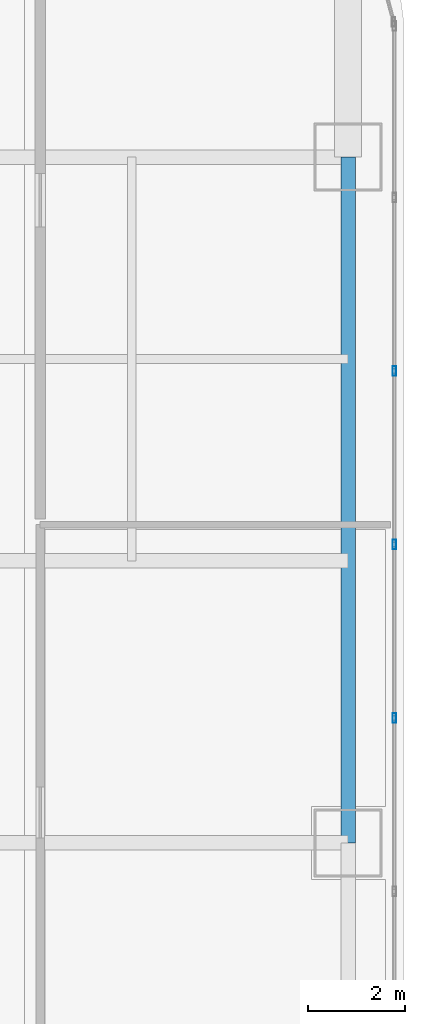
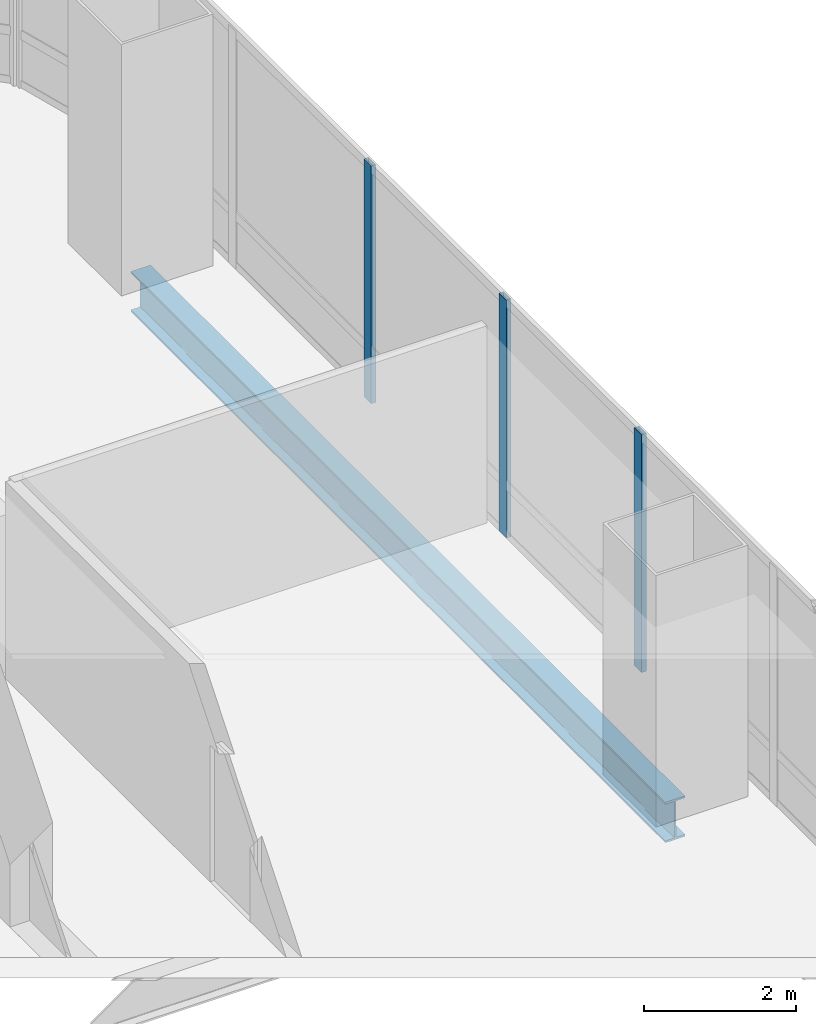
# One storey, part 18 of 38: 3 members, 1 beam, 1 element without a shape of its own.
"""IFC4 building model written with IfcOpenShell, lengths in metres."""

from ifc_helpers import new_model, si_unit, direction, frame, origin, origin_2d, place, context, subcontext, project, spatial, hollow_rectangle, i_section, extrude, material, material_profile, profile_set, type_object, element, aggregate, save


model = new_model("IFC4")

# Units and contexts
model_context = context("Model", 3, precision=1e-05, world=origin(), true_north=direction((0.0, 1.0)))
body_context = subcontext(model_context, "Body", "Model", "MODEL_VIEW")
ifc_project = project(units=[si_unit("LENGTHUNIT", "METRE"), si_unit("AREAUNIT", "SQUARE_METRE"), si_unit("VOLUMEUNIT", "CUBIC_METRE"), si_unit("PLANEANGLEUNIT", "RADIAN"), si_unit("MASSUNIT", "GRAM", prefix="KILO")], contexts=[model_context])

# Site, building, storey
site_placement = place(None, origin())
site = spatial("IfcSite", under=ifc_project, at=site_placement, CompositionType="ELEMENT")
building_placement = place(site_placement, origin())
building = spatial("IfcBuilding", under=site, at=building_placement, Name="Punatoya Terracotta Tower", CompositionType="ELEMENT")
storey_placement = place(building_placement, frame((0.0, 0.0, 147.89990234375)))
storey = spatial("IfcBuildingStorey", under=building, at=storey_placement, Name="L34", CompositionType="ELEMENT", Elevation=147.89990234375)

# Beam
ifc_material_1 = material(Name="Steel S355", Category="steel")
ifc_material_profile_1 = material_profile(ifc_material_1, i_section(OverallWidth=0.300048828125, OverallDepth=0.64990234375, WebThickness=0.01611328125, FlangeThickness=0.031005859375, FilletRadius=0.01806640625, at=origin_2d()))
ifc_profile_set_1 = profile_set([ifc_material_profile_1], Name="Steel S355")
beam_type = type_object("IfcBeamType", Name="BM-PRI-650", PredefinedType="BEAM", material=ifc_profile_set_1)
beam_placement = place(storey_placement, frame((19.10009765625, 3.39990234375, -0.544921875), z_axis=(0.0, 1.0, 0.0), x_axis=(-1.0, 0.0, 0.0)))
element("IfcBeam", 1, at=beam_placement, inside=storey, type_object=beam_type, Name="BM-L34-RG-E3", PredefinedType="BEAM", context=body_context, shape_type="SweptSolid", body=[
    extrude(i_section(OverallWidth=0.300048828125, OverallDepth=0.64990234375, WebThickness=0.01611328125, FlangeThickness=0.031005859375, FilletRadius=0.01806640625, at=origin_2d()), origin(), (0.0, 0.0, 1.0), 14.10009765625),
])

# Curtain wall, members
ifc_material_2 = material(Name="Aluminium 6063-T6 + Double Low-E Glass", Category="aluminium")
curtain_wall_type = type_object("IfcCurtainWallType", Name="CW-M2", PredefinedType="NOTDEFINED", material=ifc_material_2)
curtain_wall_placement = place(storey_placement, origin())
curtain_wall = element("IfcCurtainWall", 2, at=curtain_wall_placement, inside=storey, type_object=curtain_wall_type, Name="L34 Curtain Wall CW-L34-E05-1", PredefinedType="NOTDEFINED")
ifc_material_3 = material(Name="Aluminium 6063-T6", Category="aluminium")
ifc_material_profile_2 = material_profile(ifc_material_3, hollow_rectangle(XDim=0.072021484375, YDim=0.195068359375, WallThickness=0.00439453125, at=origin_2d()))
ifc_profile_set_2 = profile_set([ifc_material_profile_2], Name="Aluminium 6063-T6")
member_type = type_object("IfcMemberType", Name="CW-MUL-M2", PredefinedType="MULLION", material=ifc_profile_set_2)
member_1_placement = place(storey_placement, frame((20.050048828125, 5.96728515625, 0.0), z_axis=(0.0, 0.0, 1.0), x_axis=(1.0, 0.0, 0.0)))
member_1 = element("IfcMember", 3, at=member_1_placement, type_object=member_type, Name="CW-L34-E05-1 Mullion 06", PredefinedType="MULLION", context=body_context, shape_type="SweptSolid", body=[
    extrude(hollow_rectangle(XDim=0.072021484375, YDim=0.195068359375, WallThickness=0.00439453125, at=origin_2d()), origin(), (0.0, 0.0, 1.0), 3.830078125),
])
member_2_placement = place(storey_placement, frame((20.050048828125, 9.534912109375, 0.0), z_axis=(0.0, 0.0, 1.0), x_axis=(1.0, 0.0, 0.0)))
member_2 = element("IfcMember", 4, at=member_2_placement, type_object=member_type, Name="CW-L34-E05-1 Mullion 07", PredefinedType="MULLION", context=body_context, shape_type="SweptSolid", body=[
    extrude(hollow_rectangle(XDim=0.072021484375, YDim=0.195068359375, WallThickness=0.00439453125, at=origin_2d()), origin(), (0.0, 0.0, 1.0), 3.830078125),
])
member_3_placement = place(storey_placement, frame((20.050048828125, 13.10205078125, 0.0), z_axis=(0.0, 0.0, 1.0), x_axis=(1.0, 0.0, 0.0)))
member_3 = element("IfcMember", 5, at=member_3_placement, type_object=member_type, Name="CW-L34-E05-1 Mullion 08", PredefinedType="MULLION", context=body_context, shape_type="SweptSolid", body=[
    extrude(hollow_rectangle(XDim=0.072021484375, YDim=0.195068359375, WallThickness=0.00439453125, at=origin_2d()), origin(), (0.0, 0.0, 1.0), 3.830078125),
])
aggregate(curtain_wall, [member_1, member_2, member_3])

save(model, "model.ifc")
